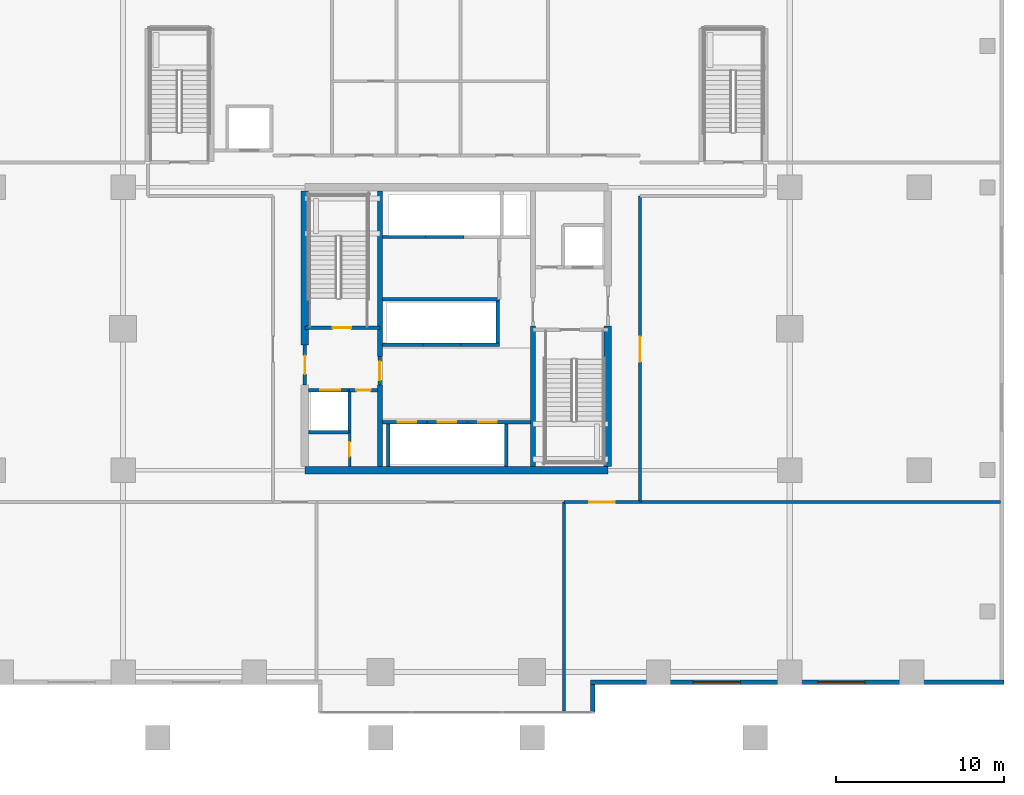
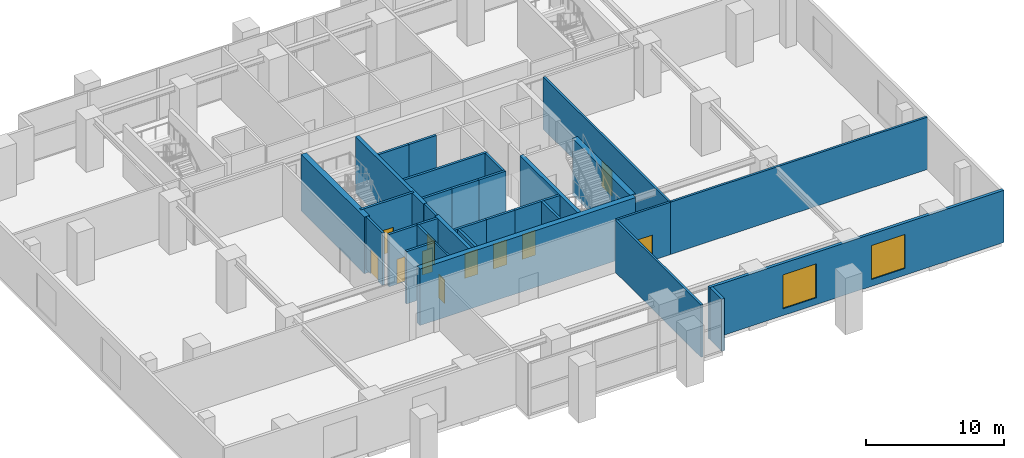
# One storey, part 13 of 20: 32 walls, 11 doors, 2 windows, 13 openings.
"""IFC4 building model written with IfcOpenShell, lengths in metres."""

from ifc_helpers import new_model, si_unit, direction, frame, frame_2d, origin, place, context, subcontext, project, spatial, rectangle, extrude, source, transform, mapped, material, layer, layer_set, type_object, element, fill, save


model = new_model("IFC4")

# Units and contexts
model_context = context("Model", 3, precision=1e-05, world=origin(), true_north=direction((0.0, 1.0)))
body_context = subcontext(model_context, "Body", "Model", "MODEL_VIEW")
ifc_project = project(units=[si_unit("LENGTHUNIT", "METRE"), si_unit("AREAUNIT", "SQUARE_METRE"), si_unit("VOLUMEUNIT", "CUBIC_METRE"), si_unit("PLANEANGLEUNIT", "RADIAN"), si_unit("MASSUNIT", "GRAM", prefix="KILO")], contexts=[model_context])

# Site, building, storey
site_placement = place(None, origin())
site = spatial("IfcSite", under=ifc_project, at=site_placement, CompositionType="ELEMENT")
building_placement = place(site_placement, origin())
building = spatial("IfcBuilding", under=site, at=building_placement, Name="Serunith Strait Residences", CompositionType="ELEMENT")
storey_placement = place(building_placement, frame((0.0, 0.0, 5.5)))
storey = spatial("IfcBuildingStorey", under=building, at=storey_placement, Name="L01", CompositionType="ELEMENT", Elevation=5.5)

# Wall
ifc_material_1 = material(Name="Pale-Silver Aluminium Terracotta-Backed Wall", Category="masonry")
ifc_layer_1 = layer(ifc_material_1, 0.25, Name="Pale-Silver Aluminium Terracotta-Backed Wall")
ifc_layer_set_1 = layer_set([ifc_layer_1], Name="Pale-Silver Aluminium Terracotta-Backed Wall")
wall_type_1 = type_object("IfcWallType", Name="EW-POD-250", PredefinedType="ELEMENTEDWALL", material=ifc_layer_set_1)
wall_1_placement = place(storey_placement, frame((40.5, 2.39990234375, 0.0), z_axis=(0.0, 0.0, 1.0), x_axis=(0.0, 1.0, 0.0)))
element("IfcWall", 1, at=wall_1_placement, inside=storey, type_object=wall_type_1, Name="L01 Podium Envelope Wall 4", PredefinedType="ELEMENTEDWALL", context=body_context, shape_type="SweptSolid", body=[
    extrude(rectangle(XDim=1.675048828125, YDim=0.25, at=frame_2d((0.83740234375, 0.0))), origin(), (0.0, 0.0, 1.0), 4.60498046875),
])

# Wall, openings, windows
wall_2_placement = place(storey_placement, frame((40.375, 4.199951171875, 0.0), z_axis=(0.0, 0.0, 1.0), x_axis=(1.0, 0.0, 0.0)))
wall_2 = element("IfcWall", 2, at=wall_2_placement, inside=storey, type_object=wall_type_1, Name="L01 Podium Envelope Wall 5", PredefinedType="ELEMENTEDWALL", context=body_context, shape_type="SweptSolid", body=[
    extrude(rectangle(XDim=24.550048828125, YDim=0.25, at=frame_2d((12.27490234375, 0.0))), origin(), (0.0, 0.0, 1.0), 4.60498046875),
])
opening_1_placement = place(wall_2_placement, frame((6.090087890625, 0.0, 0.60009765625)))
opening_1 = element("IfcOpeningElement", 3, at=opening_1_placement, cuts=wall_2, Name="Opening W-07", PredefinedType="OPENING", context=body_context, shape_type="SweptSolid", body=[
    extrude(rectangle(XDim=2.800048828125, YDim=3.0, at=frame_2d((1.39990234375, 1.5))), frame((0.0, 0.135009765625, 0.0), z_axis=(0.0, -1.0, 0.0), x_axis=(1.0, 0.0, 0.0)), (0.0, 0.0, 1.0), 0.27001953125),
])
opening_2_placement = place(wall_2_placement, frame((13.485107421875, 0.0, 0.60009765625)))
opening_2 = element("IfcOpeningElement", 4, at=opening_2_placement, cuts=wall_2, Name="Opening W-07", PredefinedType="OPENING", context=body_context, shape_type="SweptSolid", body=[
    extrude(rectangle(XDim=2.800048828125, YDim=3.0, at=frame_2d((1.39990234375, 1.5))), frame((0.0, 0.135009765625, 0.0), z_axis=(0.0, -1.0, 0.0), x_axis=(1.0, 0.0, 0.0)), (0.0, 0.0, 1.0), 0.27001953125),
])
ifc_material_2 = material(Name="Podium Storefront Low-E Laminated Glass", Category="glass")
window_type = type_object("IfcWindowType", Name="WIN-POD1", PartitioningType="TRIPLE_PANEL_VERTICAL", PredefinedType="WINDOW", material=ifc_material_2)
shared_shape_1 = source(origin(), body_context, "Body", "SweptSolid", [
    extrude(rectangle(XDim=2.800048828125, YDim=3.0, at=frame_2d((1.39990234375, 1.5))), frame((0.0, 0.030029296875, 0.0), z_axis=(0.0, -1.0, 0.0), x_axis=(1.0, 0.0, 0.0)), (0.0, 0.0, 1.0), 0.06005859375),
])
window_1_placement = place(opening_1_placement, origin())
window_1 = element("IfcWindow", 5, at=window_1_placement, inside=storey, type_object=window_type, Name="L01 Podium Window 5A", OverallHeight=3.0, OverallWidth=2.800048828125, PartitioningType="SINGLE_PANEL", PredefinedType="WINDOW", context=body_context, shape_type="MappedRepresentation", body=[
    mapped(shared_shape_1, transform((0.0, 0.0, 0.0), scale=1.0)),
])
fill(opening_1, window_1)
window_2_placement = place(opening_2_placement, origin())
window_2 = element("IfcWindow", 6, at=window_2_placement, inside=storey, type_object=window_type, Name="L01 Podium Window 5B", OverallHeight=3.0, OverallWidth=2.800048828125, PartitioningType="SINGLE_PANEL", PredefinedType="WINDOW", context=body_context, shape_type="MappedRepresentation", body=[
    mapped(shared_shape_1, transform((0.0, 0.0, 0.0), scale=1.0)),
])
fill(opening_2, window_2)

# Wall, opening, door
ifc_material_3 = material(Name="Fire-rated masonry service closet wall", Category="masonry")
ifc_layer_2 = layer(ifc_material_3, 0.14990234375, Name="Fire-rated masonry service closet wall")
ifc_layer_set_2 = layer_set([ifc_layer_2], Name="Fire-rated masonry service closet wall")
wall_type_2 = type_object("IfcWallType", Name="IW-BOH-150", PredefinedType="PARTITIONING", material=ifc_layer_set_2)
wall_3_placement = place(storey_placement, frame((26.050048828125, 17.02490234375, 0.0), z_axis=(0.0, 0.0, 1.0), x_axis=(0.0, 1.0, 0.0)))
wall_3 = element("IfcWall", 7, at=wall_3_placement, inside=storey, type_object=wall_type_2, Name="L01 Partition Wall 012", PredefinedType="PARTITIONING", context=body_context, shape_type="SweptSolid", body=[
    extrude(rectangle(XDim=2.023193359375, YDim=0.14990234375, at=frame_2d((1.01171875, 0.0))), origin(), (0.0, 0.0, 1.0), 4.6201171875),
])
opening_3_placement = place(wall_3_placement, frame((0.5859375, 0.0, 0.0)))
opening_3 = element("IfcOpeningElement", 8, at=opening_3_placement, cuts=wall_3, Name="Opening FD-850", PredefinedType="OPENING", context=body_context, shape_type="SweptSolid", body=[
    extrude(rectangle(XDim=0.85009765625, YDim=2.10009765625, at=frame_2d((0.425048828125, 1.050048828125))), frame((0.0, 0.0849609375, 0.0), z_axis=(0.0, -1.0, 0.0), x_axis=(1.0, 0.0, 0.0)), (0.0, 0.0, 1.0), 0.169921875),
])
ifc_material_4 = material(Name="Powder-coated steel service closet door", Category="steel")
door_type_1 = type_object("IfcDoorType", Name="FD-BOH-850", OperationType="NOTDEFINED", PredefinedType="DOOR", material=ifc_material_4)
shared_shape_2 = source(origin(), body_context, "Body", "SweptSolid", [
    extrude(rectangle(XDim=0.85009765625, YDim=2.10009765625, at=frame_2d((0.425048828125, 1.050048828125))), frame((0.0, 0.02490234375, 0.0), z_axis=(0.0, -1.0, 0.0), x_axis=(1.0, 0.0, 0.0)), (0.0, 0.0, 1.0), 0.050048828125),
])
door_1_placement = place(opening_3_placement, origin())
door_1 = element("IfcDoor", 9, at=door_1_placement, inside=storey, type_object=door_type_1, Name="L01 Cleaner Store Door", OperationType="SINGLE_SWING_RIGHT", OverallHeight=2.10009765625, OverallWidth=0.85009765625, PredefinedType="DOOR", context=body_context, shape_type="MappedRepresentation", body=[
    mapped(shared_shape_2, transform((0.0, 0.0, 0.0), scale=1.0)),
])
fill(opening_3, door_1)

# Wall
ifc_material_5 = material(Name="Fire-rated acoustic gypsum partition")
ifc_layer_3 = layer(ifc_material_5, 0.179931640625, Name="Fire-rated acoustic gypsum partition")
ifc_layer_set_3 = layer_set([ifc_layer_3], Name="Fire-rated acoustic gypsum partition")
wall_type_3 = type_object("IfcWallType", Name="IW-CORR-180", PredefinedType="PARTITIONING", material=ifc_layer_set_3)
wall_4_placement = place(storey_placement, frame((43.300048828125, 14.89990234375, 0.0), z_axis=(0.0, 0.0, 1.0), x_axis=(1.0, 0.0, 0.0)))
element("IfcWall", 10, at=wall_4_placement, inside=storey, type_object=wall_type_3, Name="L01 Partition Wall 015", PredefinedType="PARTITIONING", context=body_context, shape_type="SweptSolid", body=[
    extrude(rectangle(XDim=21.41796875, YDim=0.179931640625, at=frame_2d((10.708984375, 0.0))), origin(), (0.0, 0.0, 1.0), 4.6201171875),
])

# Wall, opening, door
wall_5_placement = place(storey_placement, frame((43.300048828125, 14.89990234375, 0.0), z_axis=(0.0, 0.0, 1.0), x_axis=(0.0, 1.0, 0.0)))
wall_5 = element("IfcWall", 11, at=wall_5_placement, inside=storey, type_object=wall_type_3, Name="L01 Partition Wall 025", PredefinedType="PARTITIONING", context=body_context, shape_type="SweptSolid", body=[
    extrude(rectangle(XDim=18.18017578125, YDim=0.179931640625, at=frame_2d((9.090087890625, 0.0))), origin(), (0.0, 0.0, 1.0), 4.6201171875),
])
opening_4_placement = place(wall_5_placement, frame((8.340087890625, 0.0, 0.0)))
opening_4 = element("IfcOpeningElement", 12, at=opening_4_placement, cuts=wall_5, Name="Opening D-POD1500", PredefinedType="OPENING", context=body_context, shape_type="SweptSolid", body=[
    extrude(rectangle(XDim=1.5, YDim=2.25, at=frame_2d((0.75, 1.125))), frame((0.0, 0.10009765625, 0.0), z_axis=(0.0, -1.0, 0.0), x_axis=(1.0, 0.0, 0.0)), (0.0, 0.0, 1.0), 0.199951171875),
])
ifc_material_6 = material(Name="Pale-champagne aluminium glazed double door", Category="aluminium")
door_type_2 = type_object("IfcDoorType", Name="ID-POD-1500", OperationType="DOUBLE_DOOR_SINGLE_SWING", PredefinedType="DOOR", material=ifc_material_6)
shared_shape_3 = source(origin(), body_context, "Body", "SweptSolid", [
    extrude(rectangle(XDim=1.5, YDim=2.25, at=frame_2d((0.75, 1.125))), frame((0.0, 0.02490234375, 0.0), z_axis=(0.0, -1.0, 0.0), x_axis=(1.0, 0.0, 0.0)), (0.0, 0.0, 1.0), 0.050048828125),
])
door_2_placement = place(opening_4_placement, origin())
door_2 = element("IfcDoor", 13, at=door_2_placement, inside=storey, type_object=door_type_2, Name="L01 East Wing Suite Door", OperationType="DOUBLE_DOOR_SINGLE_SWING", OverallHeight=2.25, OverallWidth=1.5, PredefinedType="DOOR", context=body_context, shape_type="MappedRepresentation", body=[
    mapped(shared_shape_3, transform((0.0, 0.0, 0.0), scale=1.0)),
])
fill(opening_4, door_2)

wall_6_placement = place(storey_placement, frame((38.802001953125, 14.89990234375, 0.0), z_axis=(0.0, 0.0, 1.0), x_axis=(1.0, 0.0, 0.0)))
wall_6 = element("IfcWall", 14, at=wall_6_placement, inside=storey, type_object=wall_type_3, Name="L01 Partition Wall 032", PredefinedType="PARTITIONING", context=body_context, shape_type="SweptSolid", body=[
    extrude(rectangle(XDim=4.49609375, YDim=0.179931640625, at=frame_2d((2.248046875, 0.0))), origin(), (0.0, 0.0, 1.0), 4.6201171875),
])
opening_5_placement = place(wall_6_placement, frame((1.498046875, 0.0, 0.0)))
opening_5 = element("IfcOpeningElement", 15, at=opening_5_placement, cuts=wall_6, Name="Opening D-POD1500", PredefinedType="OPENING", context=body_context, shape_type="SweptSolid", body=[
    extrude(rectangle(XDim=1.5, YDim=2.25, at=frame_2d((0.75, 1.125))), frame((0.0, 0.10009765625, 0.0), z_axis=(0.0, -1.0, 0.0), x_axis=(1.0, 0.0, 0.0)), (0.0, 0.0, 1.0), 0.199951171875),
])
door_3_placement = place(opening_5_placement, origin())
door_3 = element("IfcDoor", 16, at=door_3_placement, inside=storey, type_object=door_type_2, Name="L01 South-East Suite Door", OperationType="DOUBLE_DOOR_SINGLE_SWING", OverallHeight=2.25, OverallWidth=1.5, PredefinedType="DOOR", context=body_context, shape_type="MappedRepresentation", body=[
    mapped(shared_shape_3, transform((0.0, 0.0, 0.0), scale=1.0)),
])
fill(opening_5, door_3)

# Wall
wall_7_placement = place(storey_placement, frame((38.800048828125, 2.48193359375, 0.0), z_axis=(0.0, 0.0, 1.0), x_axis=(0.0, 1.0, 0.0)))
element("IfcWall", 17, at=wall_7_placement, inside=storey, type_object=wall_type_3, Name="L01 Partition Wall 039", PredefinedType="PARTITIONING", context=body_context, shape_type="SweptSolid", body=[
    extrude(rectangle(XDim=12.41796875, YDim=0.179931640625, at=frame_2d((6.208984375, 0.0))), origin(), (0.0, 0.0, 1.0), 4.6201171875),
])

# Wall, opening, door
ifc_material_7 = material(Name="Autoclaved aerated concrete blockwork", Category="masonry")
ifc_layer_4 = layer(ifc_material_7, 0.199951171875, Name="Autoclaved aerated concrete blockwork")
ifc_layer_set_4 = layer_set([ifc_layer_4], Name="Autoclaved aerated concrete blockwork")
wall_type_4 = type_object("IfcWallType", Name="IW-SHAFT-200", PredefinedType="STANDARD", material=ifc_layer_set_4)
wall_8_placement = place(storey_placement, frame((23.39990234375, 25.25, 0.0), z_axis=(0.0, 0.0, 1.0), x_axis=(1.0, 0.0, 0.0)))
wall_8 = element("IfcWall", 18, at=wall_8_placement, inside=storey, type_object=wall_type_4, Name="L01 ST-1 South Shaft Wall", PredefinedType="STANDARD", context=body_context, shape_type="SweptSolid", body=[
    extrude(rectangle(XDim=4.4501953125, YDim=0.199951171875, at=frame_2d((2.22509765625, 0.0))), origin(), (0.0, 0.0, 1.0), 4.6201171875),
])
opening_6_placement = place(wall_8_placement, frame((1.64990234375, 0.0, 0.0)))
opening_6 = element("IfcOpeningElement", 19, at=opening_6_placement, cuts=wall_8, Name="Opening FD-1100", PredefinedType="OPENING", context=body_context, shape_type="SweptSolid", body=[
    extrude(rectangle(XDim=1.10009765625, YDim=2.14990234375, at=frame_2d((0.550048828125, 1.074951171875))), frame((0.0, 0.10986328125, 0.0), z_axis=(0.0, -1.0, 0.0), x_axis=(1.0, 0.0, 0.0)), (0.0, 0.0, 1.0), 0.219970703125),
])
ifc_material_8 = material(Name="Galvanised steel fire door leaf", Category="steel")
door_type_3 = type_object("IfcDoorType", Name="FD-STAIR-1100", OperationType="NOTDEFINED", PredefinedType="DOOR", material=ifc_material_8)
shared_shape_4 = source(origin(), body_context, "Body", "SweptSolid", [
    extrude(rectangle(XDim=1.10009765625, YDim=2.14990234375, at=frame_2d((0.550048828125, 1.074951171875))), frame((0.0, 0.02490234375, 0.0), z_axis=(0.0, -1.0, 0.0), x_axis=(1.0, 0.0, 0.0)), (0.0, 0.0, 1.0), 0.050048828125),
])
door_4_placement = place(opening_6_placement, origin())
door_4 = element("IfcDoor", 20, at=door_4_placement, inside=storey, type_object=door_type_3, Name="L01 ST-1 Escape Stair Door", OperationType="SINGLE_SWING_LEFT", OverallHeight=2.14990234375, OverallWidth=1.10009765625, PredefinedType="DOOR", context=body_context, shape_type="MappedRepresentation", body=[
    mapped(shared_shape_4, transform((0.0, 0.0, 0.0), scale=1.0)),
])
fill(opening_6, door_4)

wall_9_placement = place(storey_placement, frame((23.625, 21.550048828125, 0.0), z_axis=(0.0, 0.0, 1.0), x_axis=(1.0, 0.0, 0.0)))
wall_9 = element("IfcWall", 21, at=wall_9_placement, inside=storey, type_object=wall_type_4, Name="L01 FL-1 North Shaft Wall", PredefinedType="STANDARD", context=body_context, shape_type="SweptSolid", body=[
    extrude(rectangle(XDim=2.425048828125, YDim=0.199951171875, at=frame_2d((1.21240234375, 0.0))), origin(), (0.0, 0.0, 1.0), 4.6201171875),
])
opening_7_placement = place(wall_9_placement, frame((0.675048828125, 0.0, 0.0)))
opening_7 = element("IfcOpeningElement", 22, at=opening_7_placement, cuts=wall_9, Name="Opening LD-FF1200", PredefinedType="OPENING", context=body_context, shape_type="SweptSolid", body=[
    extrude(rectangle(XDim=1.199951171875, YDim=2.199951171875, at=frame_2d((0.60009765625, 1.10009765625))), frame((0.0, 0.10986328125, 0.0), z_axis=(0.0, -1.0, 0.0), x_axis=(1.0, 0.0, 0.0)), (0.0, 0.0, 1.0), 0.219970703125),
])
ifc_material_9 = material(Name="Brushed stainless steel landing door", Category="steel")
door_type_4 = type_object("IfcDoorType", Name="LD-FF-1200", OperationType="DOUBLE_DOOR_SLIDING", PredefinedType="DOOR", material=ifc_material_9)
shared_shape_5 = source(origin(), body_context, "Body", "SweptSolid", [
    extrude(rectangle(XDim=1.199951171875, YDim=2.199951171875, at=frame_2d((0.60009765625, 1.10009765625))), frame((0.0, 0.02490234375, 0.0), z_axis=(0.0, -1.0, 0.0), x_axis=(1.0, 0.0, 0.0)), (0.0, 0.0, 1.0), 0.050048828125),
])
door_5_placement = place(opening_7_placement, origin())
door_5 = element("IfcDoor", 23, at=door_5_placement, inside=storey, type_object=door_type_4, Name="L01 FL-1 Landing Door", OperationType="DOUBLE_DOOR_SLIDING", OverallHeight=2.199951171875, OverallWidth=1.199951171875, PredefinedType="DOOR", context=body_context, shape_type="MappedRepresentation", body=[
    mapped(shared_shape_5, transform((0.0, 0.0, 0.0), scale=1.0)),
])
fill(opening_7, door_5)

wall_10_placement = place(storey_placement, frame((28.0, 19.64990234375, 0.0), z_axis=(0.0, 0.0, 1.0), x_axis=(1.0, 0.0, 0.0)))
wall_10 = element("IfcWall", 24, at=wall_10_placement, inside=storey, type_object=wall_type_4, Name="L01 PL-1 North Shaft Wall", PredefinedType="STANDARD", context=body_context, shape_type="SweptSolid", body=[
    extrude(rectangle(XDim=2.64990234375, YDim=0.199951171875, at=frame_2d((1.324951171875, 0.0))), origin(), (0.0, 0.0, 1.0), 4.6201171875),
])
opening_8_placement = place(wall_10_placement, frame((0.89990234375, 0.0, 0.0)))
opening_8 = element("IfcOpeningElement", 25, at=opening_8_placement, cuts=wall_10, Name="Opening LD-1100", PredefinedType="OPENING", context=body_context, shape_type="SweptSolid", body=[
    extrude(rectangle(XDim=1.10009765625, YDim=2.199951171875, at=frame_2d((0.550048828125, 1.10009765625))), frame((0.0, 0.10986328125, 0.0), z_axis=(0.0, -1.0, 0.0), x_axis=(1.0, 0.0, 0.0)), (0.0, 0.0, 1.0), 0.219970703125),
])
ifc_material_10 = material(Name="Pale-champagne stainless landing door")
door_type_5 = type_object("IfcDoorType", Name="LD-LIFT-1100", OperationType="DOUBLE_DOOR_SLIDING", PredefinedType="DOOR", material=ifc_material_10)
shared_shape_6 = source(origin(), body_context, "Body", "SweptSolid", [
    extrude(rectangle(XDim=1.10009765625, YDim=2.199951171875, at=frame_2d((0.550048828125, 1.10009765625))), frame((0.0, 0.02490234375, 0.0), z_axis=(0.0, -1.0, 0.0), x_axis=(1.0, 0.0, 0.0)), (0.0, 0.0, 1.0), 0.050048828125),
])
door_6_placement = place(opening_8_placement, origin())
door_6 = element("IfcDoor", 26, at=door_6_placement, inside=storey, type_object=door_type_5, Name="L01 PL-1 Landing Door", OperationType="DOUBLE_DOOR_SLIDING", OverallHeight=2.199951171875, OverallWidth=1.10009765625, PredefinedType="DOOR", context=body_context, shape_type="MappedRepresentation", body=[
    mapped(shared_shape_6, transform((0.0, 0.0, 0.0), scale=1.0)),
])
fill(opening_8, door_6)

# Wall
wall_11_placement = place(storey_placement, frame((28.35009765625, 17.02490234375, 0.0), z_axis=(0.0, 0.0, 1.0), x_axis=(0.0, 1.0, 0.0)))
element("IfcWall", 27, at=wall_11_placement, inside=storey, type_object=wall_type_4, Name="L01 PL-1 West Shaft Wall", PredefinedType="STANDARD", context=body_context, shape_type="SweptSolid", body=[
    extrude(rectangle(XDim=2.525146484375, YDim=0.199951171875, at=frame_2d((1.2626953125, 0.0))), origin(), (0.0, 0.0, 1.0), 4.6201171875),
])

# Wall, opening, door
wall_12_placement = place(storey_placement, frame((30.64990234375, 19.64990234375, 0.0), z_axis=(0.0, 0.0, 1.0), x_axis=(1.0, 0.0, 0.0)))
wall_12 = element("IfcWall", 28, at=wall_12_placement, inside=storey, type_object=wall_type_4, Name="L01 PL-2 North Shaft Wall", PredefinedType="STANDARD", context=body_context, shape_type="SweptSolid", body=[
    extrude(rectangle(XDim=2.400146484375, YDim=0.199951171875, at=frame_2d((1.2001953125, 0.0))), origin(), (0.0, 0.0, 1.0), 4.6201171875),
])
opening_9_placement = place(wall_12_placement, frame((0.64990234375, 0.0, 0.0)))
opening_9 = element("IfcOpeningElement", 29, at=opening_9_placement, cuts=wall_12, Name="Opening LD-1100", PredefinedType="OPENING", context=body_context, shape_type="SweptSolid", body=[
    extrude(rectangle(XDim=1.10009765625, YDim=2.199951171875, at=frame_2d((0.550048828125, 1.10009765625))), frame((0.0, 0.10986328125, 0.0), z_axis=(0.0, -1.0, 0.0), x_axis=(1.0, 0.0, 0.0)), (0.0, 0.0, 1.0), 0.219970703125),
])
door_7_placement = place(opening_9_placement, origin())
door_7 = element("IfcDoor", 30, at=door_7_placement, inside=storey, type_object=door_type_5, Name="L01 PL-2 Landing Door", OperationType="DOUBLE_DOOR_SLIDING", OverallHeight=2.199951171875, OverallWidth=1.10009765625, PredefinedType="DOOR", context=body_context, shape_type="MappedRepresentation", body=[
    mapped(shared_shape_6, transform((0.0, 0.0, 0.0), scale=1.0)),
])
fill(opening_9, door_7)

wall_13_placement = place(storey_placement, frame((33.050048828125, 19.64990234375, 0.0), z_axis=(0.0, 0.0, 1.0), x_axis=(1.0, 0.0, 0.0)))
wall_13 = element("IfcWall", 31, at=wall_13_placement, inside=storey, type_object=wall_type_4, Name="L01 PL-3 North Shaft Wall", PredefinedType="STANDARD", context=body_context, shape_type="SweptSolid", body=[
    extrude(rectangle(XDim=3.75, YDim=0.199951171875, at=frame_2d((1.875, 0.0))), origin(), (0.0, 0.0, 1.0), 4.6201171875),
])
opening_10_placement = place(wall_13_placement, frame((0.64990234375, 0.0, 0.0)))
opening_10 = element("IfcOpeningElement", 32, at=opening_10_placement, cuts=wall_13, Name="Opening LD-1100", PredefinedType="OPENING", context=body_context, shape_type="SweptSolid", body=[
    extrude(rectangle(XDim=1.10009765625, YDim=2.199951171875, at=frame_2d((0.550048828125, 1.10009765625))), frame((0.0, 0.10986328125, 0.0), z_axis=(0.0, -1.0, 0.0), x_axis=(1.0, 0.0, 0.0)), (0.0, 0.0, 1.0), 0.219970703125),
])
door_8_placement = place(opening_10_placement, origin())
door_8 = element("IfcDoor", 33, at=door_8_placement, inside=storey, type_object=door_type_5, Name="L01 PL-3 Landing Door", OperationType="DOUBLE_DOOR_SLIDING", OverallHeight=2.199951171875, OverallWidth=1.10009765625, PredefinedType="DOOR", context=body_context, shape_type="MappedRepresentation", body=[
    mapped(shared_shape_6, transform((0.0, 0.0, 0.0), scale=1.0)),
])
fill(opening_10, door_8)

# Walls
wall_14_placement = place(storey_placement, frame((35.35009765625, 17.02490234375, 0.0), z_axis=(0.0, 0.0, 1.0), x_axis=(0.0, 1.0, 0.0)))
element("IfcWall", 34, at=wall_14_placement, inside=storey, type_object=wall_type_4, Name="L01 PL-3 East Shaft Wall", PredefinedType="STANDARD", context=body_context, shape_type="SweptSolid", body=[
    extrude(rectangle(XDim=2.525146484375, YDim=0.199951171875, at=frame_2d((1.2626953125, 0.0))), origin(), (0.0, 0.0, 1.0), 4.6201171875),
])
wall_15_placement = place(storey_placement, frame((28.0, 24.25, 0.0), z_axis=(0.0, 0.0, 1.0), x_axis=(1.0, 0.0, 0.0)))
element("IfcWall", 35, at=wall_15_placement, inside=storey, type_object=wall_type_4, Name="L01 PL-4 South Shaft Wall", PredefinedType="STANDARD", context=body_context, shape_type="SweptSolid", body=[
    extrude(rectangle(XDim=2.425048828125, YDim=0.199951171875, at=frame_2d((1.21240234375, 0.0))), origin(), (0.0, 0.0, 1.0), 4.6201171875),
])
wall_16_placement = place(storey_placement, frame((30.425048828125, 24.25, 0.0), z_axis=(0.0, 0.0, 1.0), x_axis=(1.0, 0.0, 0.0)))
element("IfcWall", 36, at=wall_16_placement, inside=storey, type_object=wall_type_4, Name="L01 PL-5 South Shaft Wall", PredefinedType="STANDARD", context=body_context, shape_type="SweptSolid", body=[
    extrude(rectangle(XDim=2.25, YDim=0.199951171875, at=frame_2d((1.125, 0.0))), origin(), (0.0, 0.0, 1.0), 4.6201171875),
])
wall_17_placement = place(storey_placement, frame((32.675048828125, 24.25, 0.0), z_axis=(0.0, 0.0, 1.0), x_axis=(1.0, 0.0, 0.0)))
element("IfcWall", 37, at=wall_17_placement, inside=storey, type_object=wall_type_4, Name="L01 PL-6 South Shaft Wall", PredefinedType="STANDARD", context=body_context, shape_type="SweptSolid", body=[
    extrude(rectangle(XDim=2.27490234375, YDim=0.199951171875, at=frame_2d((1.137451171875, 0.0))), origin(), (0.0, 0.0, 1.0), 4.6201171875),
])
wall_18_placement = place(storey_placement, frame((34.85009765625, 24.35009765625, 0.0), z_axis=(0.0, 0.0, 1.0), x_axis=(0.0, 1.0, 0.0)))
element("IfcWall", 38, at=wall_18_placement, inside=storey, type_object=wall_type_4, Name="L01 PL-6 East Shaft Wall", PredefinedType="STANDARD", context=body_context, shape_type="SweptSolid", body=[
    extrude(rectangle(XDim=2.5, YDim=0.199951171875, at=frame_2d((1.25, 0.0))), origin(), (0.0, 0.0, 1.0), 4.6201171875),
])
wall_19_placement = place(storey_placement, frame((28.0, 30.64990234375, 0.0), z_axis=(0.0, 0.0, 1.0), x_axis=(1.0, 0.0, 0.0)))
element("IfcWall", 39, at=wall_19_placement, inside=storey, type_object=wall_type_4, Name="L01 PL-7 South Shaft Wall", PredefinedType="STANDARD", context=body_context, shape_type="SweptSolid", body=[
    extrude(rectangle(XDim=2.550048828125, YDim=0.199951171875, at=frame_2d((1.27490234375, 0.0))), origin(), (0.0, 0.0, 1.0), 4.6201171875),
])
wall_20_placement = place(storey_placement, frame((30.550048828125, 30.64990234375, 0.0), z_axis=(0.0, 0.0, 1.0), x_axis=(1.0, 0.0, 0.0)))
element("IfcWall", 40, at=wall_20_placement, inside=storey, type_object=wall_type_4, Name="L01 PL-8 South Shaft Wall", PredefinedType="STANDARD", context=body_context, shape_type="SweptSolid", body=[
    extrude(rectangle(XDim=2.300048828125, YDim=0.199951171875, at=frame_2d((1.14990234375, 0.0))), origin(), (0.0, 0.0, 1.0), 4.6201171875),
])
wall_21_placement = place(storey_placement, frame((26.050048828125, 19.050048828125, 0.0), z_axis=(0.0, 0.0, 1.0), x_axis=(0.0, 1.0, 0.0)))
element("IfcWall", 41, at=wall_21_placement, inside=storey, type_object=wall_type_4, Name="L01 Partition Wall 001", PredefinedType="STANDARD", context=body_context, shape_type="SweptSolid", body=[
    extrude(rectangle(XDim=2.5, YDim=0.199951171875, at=frame_2d((1.25, 0.0))), origin(), (0.0, 0.0, 1.0), 4.6201171875),
])
wall_22_placement = place(storey_placement, frame((23.625, 19.050048828125, 0.0), z_axis=(0.0, 0.0, 1.0), x_axis=(1.0, 0.0, 0.0)))
element("IfcWall", 42, at=wall_22_placement, inside=storey, type_object=wall_type_4, Name="L01 Partition Wall 002", PredefinedType="STANDARD", context=body_context, shape_type="SweptSolid", body=[
    extrude(rectangle(XDim=2.425048828125, YDim=0.199951171875, at=frame_2d((1.21240234375, 0.0))), origin(), (0.0, 0.0, 1.0), 4.6201171875),
])

# Wall, opening, door
wall_23_placement = place(storey_placement, frame((26.052001953125, 21.550048828125, 0.0), z_axis=(0.0, 0.0, 1.0), x_axis=(1.0, 0.0, 0.0)))
wall_23 = element("IfcWall", 43, at=wall_23_placement, inside=storey, type_object=wall_type_4, Name="L01 Partition Wall 003", PredefinedType="STANDARD", context=body_context, shape_type="SweptSolid", body=[
    extrude(rectangle(XDim=1.64794921875, YDim=0.199951171875, at=frame_2d((0.823974609375, 0.0))), origin(), (0.0, 0.0, 1.0), 4.6201171875),
])
opening_11_placement = place(wall_23_placement, frame((0.39892578125, 0.0, 0.0)))
opening_11 = element("IfcOpeningElement", 44, at=opening_11_placement, cuts=wall_23, Name="Opening FD-850", PredefinedType="OPENING", context=body_context, shape_type="SweptSolid", body=[
    extrude(rectangle(XDim=0.85009765625, YDim=2.10009765625, at=frame_2d((0.425048828125, 1.050048828125))), frame((0.0, 0.10986328125, 0.0), z_axis=(0.0, -1.0, 0.0), x_axis=(1.0, 0.0, 0.0)), (0.0, 0.0, 1.0), 0.219970703125),
])
door_9_placement = place(opening_11_placement, origin())
door_9 = element("IfcDoor", 45, at=door_9_placement, inside=storey, type_object=door_type_1, Name="L01 South-West Core Service Door", OperationType="SINGLE_SWING_RIGHT", OverallHeight=2.10009765625, OverallWidth=0.85009765625, PredefinedType="DOOR", context=body_context, shape_type="MappedRepresentation", body=[
    mapped(shared_shape_2, transform((0.0, 0.0, 0.0), scale=1.0)),
])
fill(opening_11, door_9)

wall_24_placement = place(storey_placement, frame((23.39990234375, 21.85205078125, 0.0), z_axis=(0.0, 0.0, 1.0), x_axis=(0.0, 1.0, 0.0)))
wall_24 = element("IfcWall", 46, at=wall_24_placement, inside=storey, type_object=wall_type_4, Name="L01 Partition Wall 007", PredefinedType="STANDARD", context=body_context, shape_type="SweptSolid", body=[
    extrude(rectangle(XDim=2.39599609375, YDim=0.199951171875, at=frame_2d((1.197998046875, 0.0))), origin(), (0.0, 0.0, 1.0), 4.6201171875),
])
opening_12_placement = place(wall_24_placement, frame((0.64794921875, 0.0, 0.0)))
opening_12 = element("IfcOpeningElement", 47, at=opening_12_placement, cuts=wall_24, Name="Opening FD-FFL", PredefinedType="OPENING", context=body_context, shape_type="SweptSolid", body=[
    extrude(rectangle(XDim=1.10009765625, YDim=2.14990234375, at=frame_2d((0.550048828125, 1.074951171875))), frame((0.0, 0.10986328125, 0.0), z_axis=(0.0, -1.0, 0.0), x_axis=(1.0, 0.0, 0.0)), (0.0, 0.0, 1.0), 0.219970703125),
])
ifc_material_11 = material(Name="Glazed steel smoke-lobby fire door", Category="steel")
door_type_6 = type_object("IfcDoorType", Name="FD-FFL-1100", OperationType="NOTDEFINED", PredefinedType="DOOR", material=ifc_material_11)
door_10_placement = place(opening_12_placement, origin())
door_10 = element("IfcDoor", 48, at=door_10_placement, inside=storey, type_object=door_type_6, Name="L01 FFL-1 Corridor Fire Door", OperationType="SINGLE_SWING_RIGHT", OverallHeight=2.14990234375, OverallWidth=1.10009765625, PredefinedType="DOOR", context=body_context, shape_type="MappedRepresentation", body=[
    mapped(shared_shape_4, transform((0.0, 0.0, 0.0), scale=1.0)),
])
fill(opening_12, door_10)

wall_25_placement = place(storey_placement, frame((27.85009765625, 21.85205078125, 0.0), z_axis=(0.0, 0.0, 1.0), x_axis=(0.0, 1.0, 0.0)))
wall_25 = element("IfcWall", 49, at=wall_25_placement, inside=storey, type_object=wall_type_4, Name="L01 Partition Wall 009", PredefinedType="STANDARD", context=body_context, shape_type="SweptSolid", body=[
    extrude(rectangle(XDim=1.696044921875, YDim=0.199951171875, at=frame_2d((0.84814453125, 0.0))), origin(), (0.0, 0.0, 1.0), 4.6201171875),
])
opening_13_placement = place(wall_25_placement, frame((0.298095703125, 0.0, 0.0)))
opening_13 = element("IfcOpeningElement", 50, at=opening_13_placement, cuts=wall_25, Name="Opening FD-FFL", PredefinedType="OPENING", context=body_context, shape_type="SweptSolid", body=[
    extrude(rectangle(XDim=1.10009765625, YDim=2.14990234375, at=frame_2d((0.550048828125, 1.074951171875))), frame((0.0, 0.10986328125, 0.0), z_axis=(0.0, -1.0, 0.0), x_axis=(1.0, 0.0, 0.0)), (0.0, 0.0, 1.0), 0.219970703125),
])
door_11_placement = place(opening_13_placement, origin())
door_11 = element("IfcDoor", 51, at=door_11_placement, inside=storey, type_object=door_type_6, Name="L01 FFL-1 Lift Lobby Door", OperationType="SINGLE_SWING_RIGHT", OverallHeight=2.14990234375, OverallWidth=1.10009765625, PredefinedType="DOOR", context=body_context, shape_type="MappedRepresentation", body=[
    mapped(shared_shape_4, transform((0.0, 0.0, 0.0), scale=1.0)),
])
fill(opening_13, door_11)

# Walls
wall_26_placement = place(storey_placement, frame((28.0, 26.949951171875, 0.0), z_axis=(0.0, 0.0, 1.0), x_axis=(1.0, 0.0, 0.0)))
element("IfcWall", 52, at=wall_26_placement, inside=storey, type_object=wall_type_4, Name="L01 Partition Wall 011", PredefinedType="STANDARD", context=body_context, shape_type="SweptSolid", body=[
    extrude(rectangle(XDim=6.949951171875, YDim=0.199951171875, at=frame_2d((3.47509765625, 0.0))), origin(), (0.0, 0.0, 1.0), 4.6201171875),
])
ifc_material_12 = material(Name="Concrete C80/95", Category="concrete")
ifc_layer_5 = layer(ifc_material_12, 0.300048828125, Name="Concrete C80/95")
ifc_layer_set_5 = layer_set([ifc_layer_5], Name="Concrete C80/95")
wall_type_5 = type_object("IfcWallType", Name="SW-300-C80", PredefinedType="SHEAR", material=ifc_layer_set_5)
wall_27_placement = place(storey_placement, frame((27.85009765625, 17.02490234375, -0.3798828125), z_axis=(0.0, 0.0, 1.0), x_axis=(0.0, 1.0, 0.0)))
element("IfcWall", 53, at=wall_27_placement, inside=storey, type_object=wall_type_5, Name="L01 Core Internal West Web South Pier", PredefinedType="SHEAR", context=body_context, shape_type="SweptSolid", body=[
    extrude(rectangle(XDim=4.8251953125, YDim=0.300048828125, at=frame_2d((2.41259765625, 0.0))), origin(), (0.0, 0.0, 1.0), 4.997802734375),
])
wall_28_placement = place(storey_placement, frame((27.85009765625, 23.550048828125, -0.3798828125), z_axis=(0.0, 0.0, 1.0), x_axis=(0.0, 1.0, 0.0)))
element("IfcWall", 54, at=wall_28_placement, inside=storey, type_object=wall_type_5, Name="L01 Core Internal West Web North Pier", PredefinedType="SHEAR", context=body_context, shape_type="SweptSolid", body=[
    extrude(rectangle(XDim=9.824951171875, YDim=0.300048828125, at=frame_2d((4.91259765625, 0.0))), origin(), (0.0, 0.0, 1.0), 4.997802734375),
])
wall_29_placement = place(storey_placement, frame((36.949951171875, 17.02490234375, -0.3798828125), z_axis=(0.0, 0.0, 1.0), x_axis=(0.0, 1.0, 0.0)))
element("IfcWall", 55, at=wall_29_placement, inside=storey, type_object=wall_type_5, Name="L01 Core Internal East Web South Pier", PredefinedType="SHEAR", context=body_context, shape_type="SweptSolid", body=[
    extrude(rectangle(XDim=8.3251953125, YDim=0.300048828125, at=frame_2d((4.16259765625, 0.0))), origin(), (0.0, 0.0, 1.0), 4.997802734375),
])
ifc_layer_6 = layer(ifc_material_12, 0.449951171875, Name="Concrete C80/95")
ifc_layer_set_6 = layer_set([ifc_layer_6], Name="Concrete C80/95")
wall_type_6 = type_object("IfcWallType", Name="SW-450-C80", PredefinedType="SHEAR", material=ifc_layer_set_6)
wall_30_placement = place(storey_placement, frame((23.39990234375, 16.800048828125, -0.3798828125), z_axis=(0.0, 0.0, 1.0), x_axis=(1.0, 0.0, 0.0)))
element("IfcWall", 56, at=wall_30_placement, inside=storey, type_object=wall_type_6, Name="L01 Core South Shear Wall", PredefinedType="SHEAR", context=body_context, shape_type="SweptSolid", body=[
    extrude(rectangle(XDim=18.0, YDim=0.449951171875, at=frame_2d((9.0, 0.0))), origin(), (0.0, 0.0, 1.0), 4.997802734375),
])
wall_31_placement = place(storey_placement, frame((23.39990234375, 24.25, -0.3798828125), z_axis=(0.0, 0.0, 1.0), x_axis=(0.0, 1.0, 0.0)))
element("IfcWall", 57, at=wall_31_placement, inside=storey, type_object=wall_type_6, Name="L01 Core West Shear Wall North Pier", PredefinedType="SHEAR", context=body_context, shape_type="SweptSolid", body=[
    extrude(rectangle(XDim=9.125, YDim=0.449951171875, at=frame_2d((4.5625, 0.0))), origin(), (0.0, 0.0, 1.0), 4.997802734375),
])
wall_32_placement = place(storey_placement, frame((41.39990234375, 17.02490234375, -0.3798828125), z_axis=(0.0, 0.0, 1.0), x_axis=(0.0, 1.0, 0.0)))
element("IfcWall", 58, at=wall_32_placement, inside=storey, type_object=wall_type_6, Name="L01 Core East Shear Wall South Pier", PredefinedType="SHEAR", context=body_context, shape_type="SweptSolid", body=[
    extrude(rectangle(XDim=8.3251953125, YDim=0.449951171875, at=frame_2d((4.16259765625, 0.0))), origin(), (0.0, 0.0, 1.0), 4.997802734375),
])

save(model, "model.ifc")
